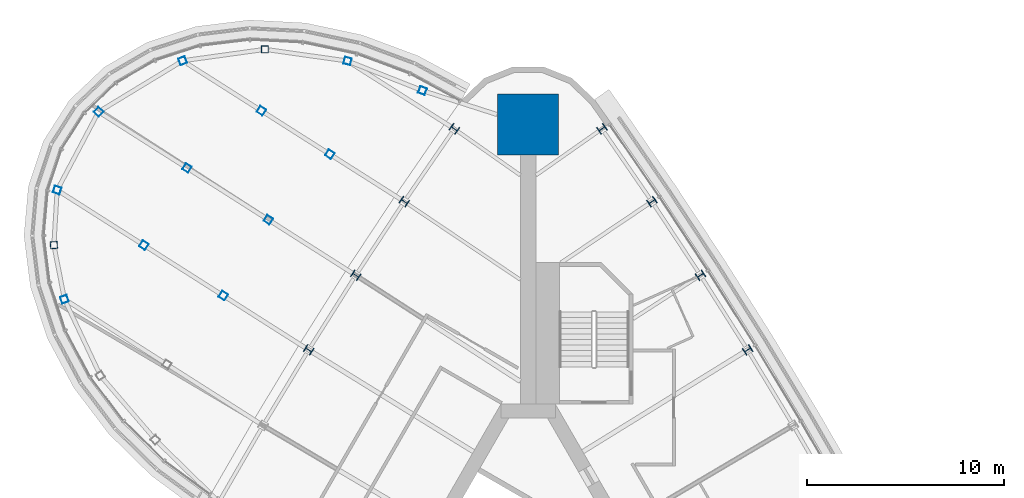
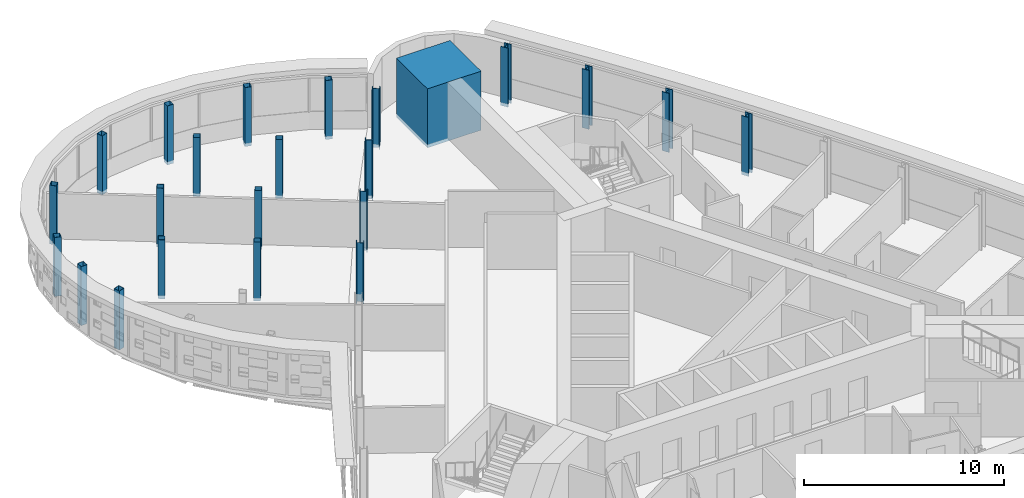
# One storey, part 3 of 17: 23 columns.
"""IFC4 building model written with IfcOpenShell, lengths in metres."""

from ifc_helpers import new_model, si_unit, direction, frame, origin, origin_2d, place, context, subcontext, project, spatial, rectangle, hollow_rectangle, i_section, extrude, material, material_profile, profile_set, type_object, element, save


model = new_model("IFC4")

# Units and contexts
model_context = context("Model", 3, precision=1e-05, world=origin(), true_north=direction((0.0, 1.0)))
body_context = subcontext(model_context, "Body", "Model", "MODEL_VIEW")
ifc_project = project(units=[si_unit("LENGTHUNIT", "METRE"), si_unit("AREAUNIT", "SQUARE_METRE"), si_unit("VOLUMEUNIT", "CUBIC_METRE"), si_unit("PLANEANGLEUNIT", "RADIAN"), si_unit("MASSUNIT", "GRAM", prefix="KILO")], contexts=[model_context])

# Site, building, storey
site_placement = place(None, origin())
site = spatial("IfcSite", under=ifc_project, at=site_placement, CompositionType="ELEMENT")
building_placement = place(site_placement, origin())
building = spatial("IfcBuilding", under=site, at=building_placement, Name="Noor Cloister Tower", CompositionType="ELEMENT")
storey_placement = place(building_placement, frame((0.0, 0.0, 98.699951171875)))
storey = spatial("IfcBuildingStorey", under=building, at=storey_placement, Name="L25", CompositionType="ELEMENT", Elevation=98.699951171875)

# Columns
ifc_material_1 = material(Name="Steel ASTM A992 Gr 50", Category="steel")
ifc_material_profile_1 = material_profile(ifc_material_1, i_section(OverallWidth=0.40087890625, OverallDepth=0.39892578125, WebThickness=0.02490234375, FlangeThickness=0.03955078125, FilletRadius=0.015380859375, at=origin_2d()), Name="W360x314")
ifc_profile_set_1 = profile_set([ifc_material_profile_1], Name="Steel ASTM A992 Gr 50")
column_type_1 = type_object("IfcColumnType", Name="Column W360x314", PredefinedType="COLUMN", material=ifc_profile_set_1)
for number, where, z_axis, x_axis, name in (
    (1, (-3.754638671875, 25.463623046875, -0.199951171875), (0.0, 0.0, 1.0), (-0.57464761374, -0.818400953092, 0.0), "Column NW 01 L25"),
    (2, (-6.2978515625, 21.7646484375, -0.199951171875), (0.0, 0.0, 1.0), (-0.558428529917, -0.829552636651, 0.0), "Column NW 02 L25"),
    (3, (-8.76806640625, 18.01611328125, -0.199951171875), (0.0, 0.0, 1.0), (-0.541993100424, -0.840382935984, 0.0), "Column NW 03 L25"),
    (4, (-11.163818359375, 14.2197265625, -0.199951171875), (0.0, 0.0, 1.0), (-0.525347692669, -0.850887655221, 0.0), "Column NW 04 L25"),
    (5, (11.163818359375, 14.2197265625, -0.199951171875), (0.0, 0.0, 1.0), (-0.525347692669, 0.850887655221, 0.0), "Column NE 07 L25"),
    (6, (8.76806640625, 18.01611328125, -0.199951171875), (0.0, 0.0, 1.0), (-0.541993100424, 0.840382935984, 0.0), "Column NE 08 L25"),
    (7, (6.2978515625, 21.7646484375, -0.199951171875), (0.0, 0.0, 1.0), (-0.558428529917, 0.829552636651, 0.0), "Column NE 09 L25"),
    (8, (3.754638671875, 25.463623046875, -0.199951171875), (0.0, 0.0, 1.0), (-0.57464761374, 0.818400953092, 0.0), "Column NE 10 L25"),
):
    element("IfcColumn", number, at=place(storey_placement, frame(where, z_axis=z_axis, x_axis=x_axis)), inside=storey, type_object=column_type_1, Name=name, PredefinedType="COLUMN", context=body_context, shape_type="SweptSolid", body=[
        extrude(i_section(OverallWidth=0.40087890625, OverallDepth=0.39892578125, WebThickness=0.02490234375, FlangeThickness=0.03955078125, FilletRadius=0.015380859375, at=origin_2d()), origin(), (0.0, 0.0, 1.0), 3.60009765625),
    ])
ifc_material_2 = material(Name="Concrete C80/95", Category="concrete")
ifc_material_profile_2 = material_profile(ifc_material_2, rectangle(XDim=3.10009765625, YDim=3.10009765625, at=origin_2d()), Name="RC 3100x3100")
ifc_profile_set_2 = profile_set([ifc_material_profile_2], Name="Concrete C80/95")
column_type_2 = type_object("IfcColumnType", Name="Corner pier 3100 x 3100 C80/95", PredefinedType="COLUMN", material=ifc_profile_set_2)
column_placement = place(storey_placement, frame((0.0, 25.68408203125, -0.199951171875), z_axis=(0.0, 0.0, 1.0), x_axis=(0.0, 1.0, 0.0)))
element("IfcColumn", 9, at=column_placement, inside=storey, type_object=column_type_2, Name="Corner pier N L25", PredefinedType="COLUMN", context=body_context, shape_type="SweptSolid", body=[
    extrude(rectangle(XDim=3.10009765625, YDim=3.10009765625, at=origin_2d()), origin(), (0.0, 0.0, 1.0), 3.60009765625),
])
ifc_material_3 = material(Name="Steel ASTM A500 Gr C", Category="steel")
ifc_material_profile_3 = material_profile(ifc_material_3, hollow_rectangle(XDim=0.35595703125, YDim=0.35595703125, WallThickness=0.0126953125, at=origin_2d()), Name="HSS355.6x355.6x12.7")
ifc_profile_set_3 = profile_set([ifc_material_profile_3], Name="Steel ASTM A500 Gr C")
column_type_3 = type_object("IfcColumnType", Name="Pod post HSS355.6x355.6x12.7", PredefinedType="COLUMN", material=ifc_profile_set_3)
for number, where, z_axis, x_axis, name in (
    (10, (-10.08447265625, 24.1708984375, -0.199951171875), (0.0, 0.0, 1.0), (-0.843995500683, 0.536350253871, 0.0), "Pod post 2 L25 line 2 node 1"),
    (11, (-13.56640625, 26.383544921875, -0.199951171875), (0.0, 0.0, 1.0), (-0.843995500683, 0.536350253871, 0.0), "Pod post 2 L25 line 2 node 2"),
    (12, (-13.2119140625, 20.840087890625, -0.199951171875), (0.0, 0.0, 1.0), (-0.843995500683, 0.536350253871, 0.0), "Pod post 2 L25 line 3 node 1"),
    (13, (-17.3544921875, 23.47265625, -0.199951171875), (0.0, 0.0, 1.0), (-0.843995500683, 0.536350253871, 0.0), "Pod post 2 L25 line 3 node 2"),
    (14, (-15.507080078125, 16.979736328125, -0.199951171875), (0.0, 0.0, 1.0), (-0.843995500683, 0.536350253871, 0.0), "Pod post 2 L25 line 4 node 1"),
    (15, (-19.5478515625, 19.5478515625, -0.199951171875), (0.0, 0.0, 1.0), (-0.843995500683, 0.536350253871, 0.0), "Pod post 2 L25 line 4 node 2"),
    (16, (-5.373046875, 27.410400390625, -0.199951171875), (0.0, 0.0, 1.0), (-0.934997461758, 0.354654404325, 0.0), "Pod post 2 L25 ring 2"),
    (17, (-9.184814453125, 28.91455078125, -0.199951171875), (0.0, 0.0, 1.0), (-0.967384048486, 0.253314237134, 0.0), "Pod post 2 L25 ring 3"),
    (18, (-13.3857421875, 29.508544921875, -0.199951171875), (0.0, 0.0, 1.0), (-0.999998491498, 0.001736951636, 0.0), "Pod post 2 L25 ring 4"),
    (19, (-17.572021484375, 28.92919921875, -0.199951171875), (0.0, 0.0, 1.0), (-0.936172595817, -0.351540710077, 0.0), "Pod post 2 L25 ring 5"),
    (20, (-21.8505859375, 26.329833984375, -0.199951171875), (0.0, 0.0, 1.0), (-0.69632321995, -0.717728342312, 0.0), "Pod post 2 L25 ring 6"),
    (21, (-23.955810546875, 22.34912109375, -0.199951171875), (0.0, 0.0, 1.0), (-0.317909141458, -0.948121183065, 0.0), "Pod post 2 L25 ring 7"),
    (22, (-24.1240234375, 19.549560546875, -0.199951171875), (0.0, 0.0, 1.0), (0.066690983869, -0.997773678081, 0.0), "Pod post 2 L25 ring 8"),
    (23, (-23.584716796875, 16.795654296875, -0.199951171875), (0.0, 0.0, 1.0), (0.335654108037, -0.941985307612, 0.0), "Pod post 2 L25 ring 9"),
):
    element("IfcColumn", number, at=place(storey_placement, frame(where, z_axis=z_axis, x_axis=x_axis)), inside=storey, type_object=column_type_3, Name=name, PredefinedType="COLUMN", context=body_context, shape_type="SweptSolid", body=[
        extrude(hollow_rectangle(XDim=0.35595703125, YDim=0.35595703125, WallThickness=0.0126953125, at=origin_2d()), origin(), (0.0, 0.0, 1.0), 3.60009765625),
    ])

save(model, "model.ifc")
